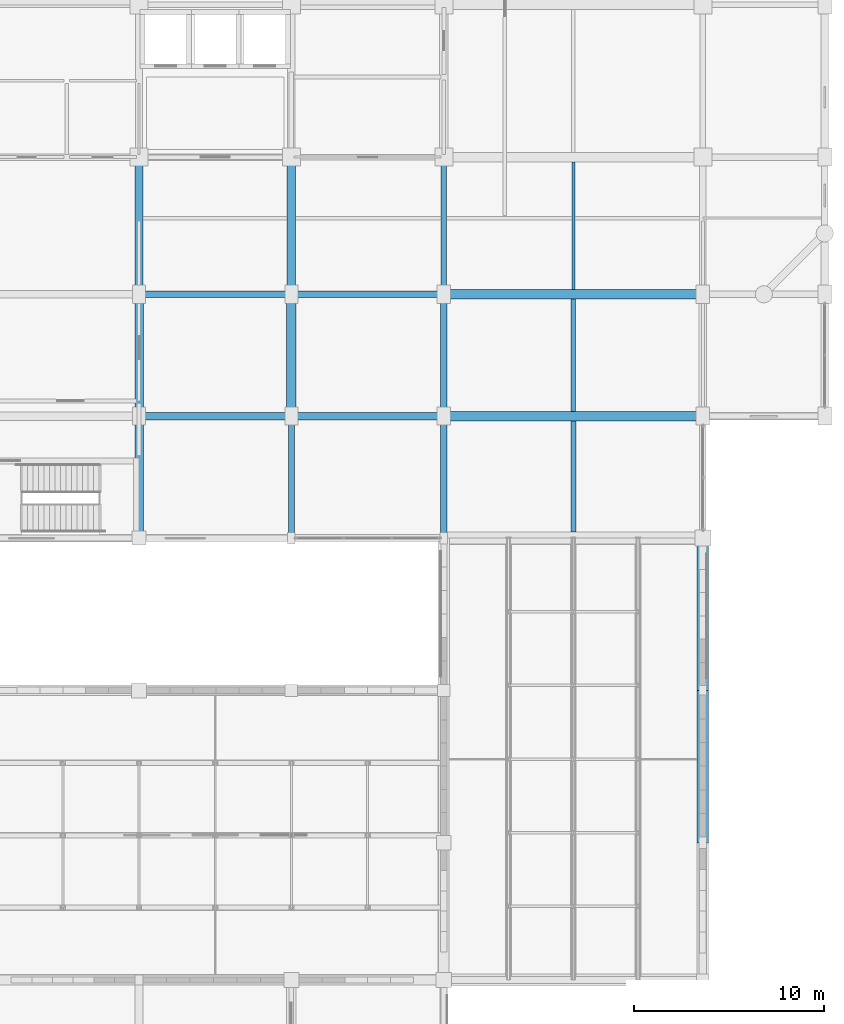
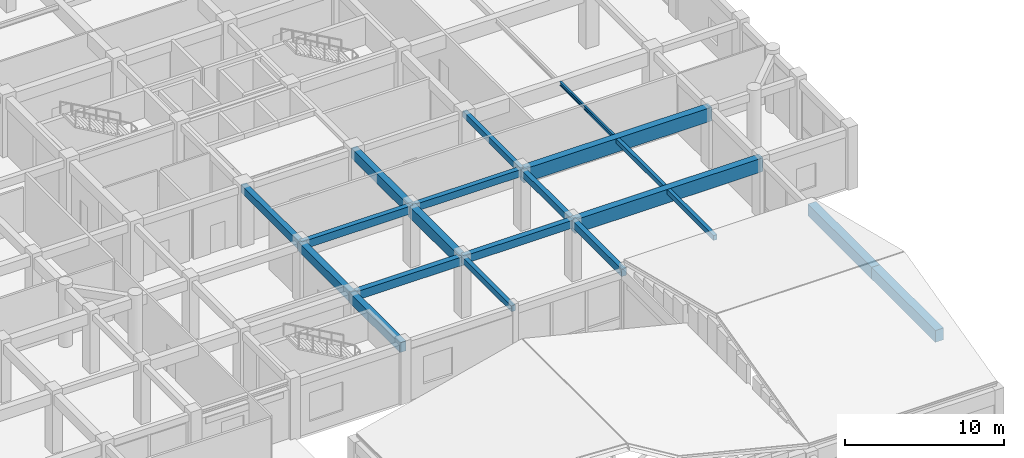
# One storey, part 31 of 61: 20 beams.
"""IFC4 building model written with IfcOpenShell, lengths in metres."""

from ifc_helpers import new_model, si_unit, direction, frame, origin, origin_2d, place, context, subcontext, project, spatial, rectangle, i_section, extrude, material, material_profile, profile_set, type_object, element, save


model = new_model("IFC4")

# Units and contexts
model_context = context("Model", 3, precision=1e-05, world=origin(), true_north=direction((0.0, 1.0)))
body_context = subcontext(model_context, "Body", "Model", "MODEL_VIEW")
ifc_project = project(units=[si_unit("LENGTHUNIT", "METRE"), si_unit("AREAUNIT", "SQUARE_METRE"), si_unit("VOLUMEUNIT", "CUBIC_METRE"), si_unit("PLANEANGLEUNIT", "RADIAN"), si_unit("MASSUNIT", "GRAM", prefix="KILO")], contexts=[model_context])

# Site, building, storey
site_placement = place(None, origin())
site = spatial("IfcSite", under=ifc_project, at=site_placement, CompositionType="ELEMENT")
building_placement = place(site_placement, origin())
building = spatial("IfcBuilding", under=site, at=building_placement, Name="Vellmiral Cinema and Media Centre", CompositionType="ELEMENT")
storey_placement = place(building_placement, frame((0.0, 0.0, 10.800048828125)))
storey = spatial("IfcBuildingStorey", under=building, at=storey_placement, Name="L02", CompositionType="ELEMENT", Elevation=10.800048828125)

# Beams
ifc_material_1 = material(Name="Concrete C40/50", Category="concrete")
ifc_material_profile_1 = material_profile(ifc_material_1, rectangle(XDim=0.300048828125, YDim=0.449951171875, at=origin_2d()), Name="RC 300x450")
ifc_profile_set_1 = profile_set([ifc_material_profile_1], Name="Concrete C40/50")
beam_type_1 = type_object("IfcBeamType", Name="BM-RC-300x450", PredefinedType="BEAM", material=ifc_profile_set_1)
beam_1_placement = place(storey_placement, frame((140.0, 59.199951171875, 4.27001953125), z_axis=(0.0, 1.0, 0.0), x_axis=(-1.0, 0.0, 0.0)))
element("IfcBeam", 1, at=beam_1_placement, inside=storey, type_object=beam_type_1, Name="Grid Beam L02-Y171", PredefinedType="BEAM", context=body_context, shape_type="SweptSolid", body=[
    extrude(rectangle(XDim=0.300048828125, YDim=0.449951171875, at=origin_2d()), origin(), (0.0, 0.0, 1.0), 6.400146484375),
])
beam_2_placement = place(storey_placement, frame((148.0, 72.0, 4.27001953125), z_axis=(0.0, 1.0, 0.0), x_axis=(-1.0, 0.0, 0.0)))
element("IfcBeam", 2, at=beam_2_placement, inside=storey, type_object=beam_type_1, Name="Grid Beam L02-Y181", PredefinedType="BEAM", context=body_context, shape_type="SweptSolid", body=[
    extrude(rectangle(XDim=0.300048828125, YDim=0.449951171875, at=origin_2d()), origin(), (0.0, 0.0, 1.0), 7.199951171875),
])
ifc_material_2 = material(Name="Concrete C40/50", Category="concrete")
ifc_material_profile_2 = material_profile(ifc_material_2, rectangle(XDim=0.35009765625, YDim=0.5, at=origin_2d()), Name="RC 350x500")
ifc_profile_set_2 = profile_set([ifc_material_profile_2], Name="Concrete C40/50")
beam_type_2 = type_object("IfcBeamType", Name="BM-RC-350x500", PredefinedType="BEAM", material=ifc_profile_set_2)
beam_3_placement = place(storey_placement, frame((148.0, 65.60009765625, 4.244873046875), z_axis=(0.0, 1.0, 0.0), x_axis=(-1.0, 0.0, 0.0)))
element("IfcBeam", 3, at=beam_3_placement, inside=storey, type_object=beam_type_2, Name="Grid Beam L02-Y180", PredefinedType="BEAM", context=body_context, shape_type="SweptSolid", body=[
    extrude(rectangle(XDim=0.35009765625, YDim=0.5, at=origin_2d()), origin(), (0.0, 0.0, 1.0), 6.39990234375),
])
ifc_material_3 = material(Name="Concrete C40/50", Category="concrete")
ifc_material_profile_3 = material_profile(ifc_material_3, rectangle(XDim=0.35009765625, YDim=0.550048828125, at=origin_2d()), Name="RC 350x550")
ifc_profile_set_3 = profile_set([ifc_material_profile_3], Name="Concrete C40/50")
beam_type_3 = type_object("IfcBeamType", Name="BM-RC-350x550", PredefinedType="BEAM", material=ifc_profile_set_3)
beam_4_placement = place(storey_placement, frame((140.0, 72.0, 4.219970703125), z_axis=(1.0, 0.0, 0.0), x_axis=(0.0, 1.0, 0.0)))
element("IfcBeam", 4, at=beam_4_placement, inside=storey, type_object=beam_type_3, Name="Grid Beam L02-X044", PredefinedType="BEAM", context=body_context, shape_type="SweptSolid", body=[
    extrude(rectangle(XDim=0.35009765625, YDim=0.550048828125, at=origin_2d()), origin(), (0.0, 0.0, 1.0), 8.0),
])
beam_5_placement = place(storey_placement, frame((148.0, 59.199951171875, 4.219970703125), z_axis=(0.0, 1.0, 0.0), x_axis=(-1.0, 0.0, 0.0)))
element("IfcBeam", 5, at=beam_5_placement, inside=storey, type_object=beam_type_3, Name="Grid Beam L02-Y179", PredefinedType="BEAM", context=body_context, shape_type="SweptSolid", body=[
    extrude(rectangle(XDim=0.35009765625, YDim=0.550048828125, at=origin_2d()), origin(), (0.0, 0.0, 1.0), 6.400146484375),
])
ifc_material_4 = material(Name="Concrete C40/50", Category="concrete")
ifc_material_profile_4 = material_profile(ifc_material_4, rectangle(XDim=0.35009765625, YDim=0.60009765625, at=origin_2d()), Name="RC 350x600")
ifc_profile_set_4 = profile_set([ifc_material_profile_4], Name="Concrete C40/50")
beam_type_4 = type_object("IfcBeamType", Name="BM-RC-350x600", PredefinedType="BEAM", material=ifc_profile_set_4)
beam_6_placement = place(storey_placement, frame((132.0, 72.0, 4.195068359375), z_axis=(1.0, 0.0, 0.0), x_axis=(0.0, 1.0, 0.0)))
element("IfcBeam", 6, at=beam_6_placement, inside=storey, type_object=beam_type_4, Name="Grid Beam L02-X043", PredefinedType="BEAM", context=body_context, shape_type="SweptSolid", body=[
    extrude(rectangle(XDim=0.35009765625, YDim=0.60009765625, at=origin_2d()), origin(), (0.0, 0.0, 1.0), 8.0),
])
ifc_material_5 = material(Name="Concrete C40/50", Category="concrete")
ifc_material_profile_5 = material_profile(ifc_material_5, rectangle(XDim=0.39990234375, YDim=0.60009765625, at=origin_2d()), Name="RC 400x600")
ifc_profile_set_5 = profile_set([ifc_material_profile_5], Name="Concrete C40/50")
beam_type_5 = type_object("IfcBeamType", Name="BM-RC-400x600", PredefinedType="BEAM", material=ifc_profile_set_5)
beam_7_placement = place(storey_placement, frame((140.0, 65.60009765625, 4.195068359375), z_axis=(1.0, 0.0, 0.0), x_axis=(0.0, 1.0, 0.0)))
element("IfcBeam", 7, at=beam_7_placement, inside=storey, type_object=beam_type_5, Name="Grid Beam L02-X031", PredefinedType="BEAM", context=body_context, shape_type="SweptSolid", body=[
    extrude(rectangle(XDim=0.39990234375, YDim=0.60009765625, at=origin_2d()), origin(), (0.0, 0.0, 1.0), 8.0),
])
beam_8_placement = place(storey_placement, frame((132.0, 72.0, 4.195068359375), z_axis=(0.0, 1.0, 0.0), x_axis=(-1.0, 0.0, 0.0)))
element("IfcBeam", 8, at=beam_8_placement, inside=storey, type_object=beam_type_5, Name="Grid Beam L02-Y165", PredefinedType="BEAM", context=body_context, shape_type="SweptSolid", body=[
    extrude(rectangle(XDim=0.39990234375, YDim=0.60009765625, at=origin_2d()), origin(), (0.0, 0.0, 1.0), 7.199951171875),
])
ifc_material_6 = material(Name="Concrete C40/50", Category="concrete")
ifc_material_profile_6 = material_profile(ifc_material_6, rectangle(XDim=0.39990234375, YDim=0.64990234375, at=origin_2d()), Name="RC 400x650")
ifc_profile_set_6 = profile_set([ifc_material_profile_6], Name="Concrete C40/50")
beam_type_6 = type_object("IfcBeamType", Name="BM-RC-400x650", PredefinedType="BEAM", material=ifc_profile_set_6)
beam_9_placement = place(storey_placement, frame((132.0, 65.60009765625, 4.169921875), z_axis=(1.0, 0.0, 0.0), x_axis=(0.0, 1.0, 0.0)))
element("IfcBeam", 9, at=beam_9_placement, inside=storey, type_object=beam_type_6, Name="Grid Beam L02-X030", PredefinedType="BEAM", context=body_context, shape_type="SweptSolid", body=[
    extrude(rectangle(XDim=0.39990234375, YDim=0.64990234375, at=origin_2d()), origin(), (0.0, 0.0, 1.0), 8.0),
])
ifc_material_7 = material(Name="Concrete C40/50", Category="concrete")
ifc_material_profile_7 = material_profile(ifc_material_7, rectangle(XDim=0.449951171875, YDim=0.699951171875, at=origin_2d()), Name="RC 450x700")
ifc_profile_set_7 = profile_set([ifc_material_profile_7], Name="Concrete C40/50")
beam_type_7 = type_object("IfcBeamType", Name="BM-RC-450x700", PredefinedType="BEAM", material=ifc_profile_set_7)
beam_10_placement = place(storey_placement, frame((132.0, 65.60009765625, 4.14501953125), z_axis=(0.0, 1.0, 0.0), x_axis=(-1.0, 0.0, 0.0)))
element("IfcBeam", 10, at=beam_10_placement, inside=storey, type_object=beam_type_7, Name="Grid Beam L02-Y164", PredefinedType="BEAM", context=body_context, shape_type="SweptSolid", body=[
    extrude(rectangle(XDim=0.449951171875, YDim=0.699951171875, at=origin_2d()), origin(), (0.0, 0.0, 1.0), 6.39990234375),
])
ifc_material_8 = material(Name="Concrete C40/50", Category="concrete")
ifc_material_profile_8 = material_profile(ifc_material_8, rectangle(XDim=0.449951171875, YDim=0.75, at=origin_2d()), Name="RC 450x750")
ifc_profile_set_8 = profile_set([ifc_material_profile_8], Name="Concrete C40/50")
beam_type_8 = type_object("IfcBeamType", Name="BM-RC-450x750", PredefinedType="BEAM", material=ifc_profile_set_8)
beam_11_placement = place(storey_placement, frame((132.0, 59.199951171875, 4.119873046875), z_axis=(0.0, 1.0, 0.0), x_axis=(-1.0, 0.0, 0.0)))
element("IfcBeam", 11, at=beam_11_placement, inside=storey, type_object=beam_type_8, Name="Grid Beam L02-Y163", PredefinedType="BEAM", context=body_context, shape_type="SweptSolid", body=[
    extrude(rectangle(XDim=0.449951171875, YDim=0.75, at=origin_2d()), origin(), (0.0, 0.0, 1.0), 6.400146484375),
])
beam_12_placement = place(storey_placement, frame((140.0, 72.0, 4.119873046875), z_axis=(0.0, 1.0, 0.0), x_axis=(-1.0, 0.0, 0.0)))
element("IfcBeam", 12, at=beam_12_placement, inside=storey, type_object=beam_type_8, Name="Grid Beam L02-Y173", PredefinedType="BEAM", context=body_context, shape_type="SweptSolid", body=[
    extrude(rectangle(XDim=0.449951171875, YDim=0.75, at=origin_2d()), origin(), (0.0, 0.0, 1.0), 7.199951171875),
])
ifc_material_9 = material(Name="Concrete C40/50", Category="concrete")
ifc_material_profile_9 = material_profile(ifc_material_9, rectangle(XDim=0.5, YDim=0.85009765625, at=origin_2d()), Name="RC 500x850")
ifc_profile_set_9 = profile_set([ifc_material_profile_9], Name="Concrete C40/50")
beam_type_9 = type_object("IfcBeamType", Name="BM-RC-500x850", PredefinedType="BEAM", material=ifc_profile_set_9)
beam_13_placement = place(storey_placement, frame((140.0, 65.60009765625, 4.070068359375), z_axis=(0.0, 1.0, 0.0), x_axis=(-1.0, 0.0, 0.0)))
element("IfcBeam", 13, at=beam_13_placement, inside=storey, type_object=beam_type_9, Name="Grid Beam L02-Y172", PredefinedType="BEAM", context=body_context, shape_type="SweptSolid", body=[
    extrude(rectangle(XDim=0.5, YDim=0.85009765625, at=origin_2d()), origin(), (0.0, 0.0, 1.0), 6.39990234375),
])
ifc_material_10 = material(Name="Concrete C40/50", Category="concrete")
ifc_material_profile_10 = material_profile(ifc_material_10, rectangle(XDim=0.5, YDim=1.050048828125, at=origin_2d()), Name="RC 500x1050")
ifc_profile_set_10 = profile_set([ifc_material_profile_10], Name="Concrete C40/50")
beam_type_10 = type_object("IfcBeamType", Name="BM-RCG-500x1050", PredefinedType="BEAM", material=ifc_profile_set_10)
for number, where, z_axis, x_axis, name in (
    (14, (148.0, 65.60009765625, 3.969970703125), (1.0, 0.0, 0.0), (0.0, 1.0, 0.0), "Grid Beam L02-X032"),
    (15, (148.0, 72.0, 3.969970703125), (1.0, 0.0, 0.0), (0.0, 1.0, 0.0), "Grid Beam L02-X045"),
):
    element("IfcBeam", number, at=place(storey_placement, frame(where, z_axis=z_axis, x_axis=x_axis)), inside=storey, type_object=beam_type_10, Name=name, PredefinedType="BEAM", context=body_context, shape_type="SweptSolid", body=[
        extrude(rectangle(XDim=0.5, YDim=1.050048828125, at=origin_2d()), origin(), (0.0, 0.0, 1.0), 13.60009765625),
    ])
ifc_material_11 = material(Name="Concrete C40/50", Category="concrete")
ifc_material_profile_11 = material_profile(ifc_material_11, rectangle(XDim=0.25, YDim=0.35009765625, at=origin_2d()), Name="RC 250x350")
ifc_profile_set_11 = profile_set([ifc_material_profile_11], Name="Concrete C40/50")
beam_type_11 = type_object("IfcBeamType", Name="JST-RC-250x350", PredefinedType="JOIST", material=ifc_profile_set_11)
beam_14_placement = place(storey_placement, frame((154.800048828125, 65.85009765625, 4.320068359375), z_axis=(0.0, 1.0, 0.0), x_axis=(-1.0, 0.0, 0.0)))
element("IfcBeam", 16, at=beam_14_placement, inside=storey, type_object=beam_type_11, Name="Secondary Floor Joist L02-019", PredefinedType="JOIST", context=body_context, shape_type="SweptSolid", body=[
    extrude(rectangle(XDim=0.25, YDim=0.35009765625, at=origin_2d()), origin(), (0.0, 0.0, 1.0), 5.89990234375),
])
ifc_material_12 = material(Name="Concrete C40/50", Category="concrete")
ifc_material_profile_12 = material_profile(ifc_material_12, rectangle(XDim=0.260009765625, YDim=0.3798828125, at=origin_2d()), Name="RC 260x380")
ifc_profile_set_12 = profile_set([ifc_material_profile_12], Name="Concrete C40/50")
beam_type_12 = type_object("IfcBeamType", Name="JST-RC-260x380", PredefinedType="JOIST", material=ifc_profile_set_12)
beam_15_placement = place(storey_placement, frame((154.800048828125, 59.52490234375, 4.304931640625), z_axis=(0.0, 1.0, 0.0), x_axis=(-1.0, 0.0, 0.0)))
element("IfcBeam", 17, at=beam_15_placement, inside=storey, type_object=beam_type_12, Name="Secondary Floor Joist L02-018", PredefinedType="JOIST", context=body_context, shape_type="SweptSolid", body=[
    extrude(rectangle(XDim=0.260009765625, YDim=0.3798828125, at=origin_2d()), origin(), (0.0, 0.0, 1.0), 5.8251953125),
])
ifc_material_13 = material(Name="Concrete C40/50", Category="concrete")
ifc_material_profile_13 = material_profile(ifc_material_13, rectangle(XDim=0.60009765625, YDim=0.89990234375, at=origin_2d()), Name="RC 600x900")
ifc_profile_set_13 = profile_set([ifc_material_profile_13], Name="Concrete C40/50")
beam_type_13 = type_object("IfcBeamType", Name="RING-BM-600x900", PredefinedType="BEAM", material=ifc_profile_set_13)
for number, where, z_axis, x_axis, name in (
    (18, (161.60009765625, 43.199951171875, 4.349853515625), (0.0, 1.0, 0.0), (-1.0, 0.0, 0.0), "Cinema Screen 7 Ring Beam 05"),
    (19, (161.60009765625, 51.199951171875, 4.349853515625), (0.0, 1.0, 0.0), (-1.0, 0.0, 0.0), "Cinema Screen 7 Ring Beam 06"),
):
    element("IfcBeam", number, at=place(storey_placement, frame(where, z_axis=z_axis, x_axis=x_axis)), inside=storey, type_object=beam_type_13, Name=name, PredefinedType="BEAM", context=body_context, shape_type="SweptSolid", body=[
        extrude(rectangle(XDim=0.60009765625, YDim=0.89990234375, at=origin_2d()), origin(), (0.0, 0.0, 1.0), 8.0),
    ])
ifc_material_14 = material(Name="Steel S355", Category="steel")
ifc_material_profile_14 = material_profile(ifc_material_14, i_section(OverallWidth=0.14990234375, OverallDepth=0.300048828125, WebThickness=0.007080078125, FlangeThickness=0.0107421875, FilletRadius=0.014892578125, at=origin_2d()), Name="IPE 300")
ifc_profile_set_14 = profile_set([ifc_material_profile_14], Name="Steel S355")
beam_type_14 = type_object("IfcBeamType", Name="SBM-IPE300", PredefinedType="JOIST", material=ifc_profile_set_14)
beam_16_placement = place(storey_placement, frame((154.800048828125, 72.25, 4.344970703125), z_axis=(0.0, 1.0, 0.0), x_axis=(-1.0, 0.0, 0.0)))
element("IfcBeam", 20, at=beam_16_placement, inside=storey, type_object=beam_type_14, Name="Secondary Floor Joist L02-020", PredefinedType="JOIST", context=body_context, shape_type="SweptSolid", body=[
    extrude(i_section(OverallWidth=0.14990234375, OverallDepth=0.300048828125, WebThickness=0.007080078125, FlangeThickness=0.0107421875, FilletRadius=0.014892578125, at=origin_2d()), origin(), (0.0, 0.0, 1.0), 6.699951171875),
])

save(model, "model.ifc")
